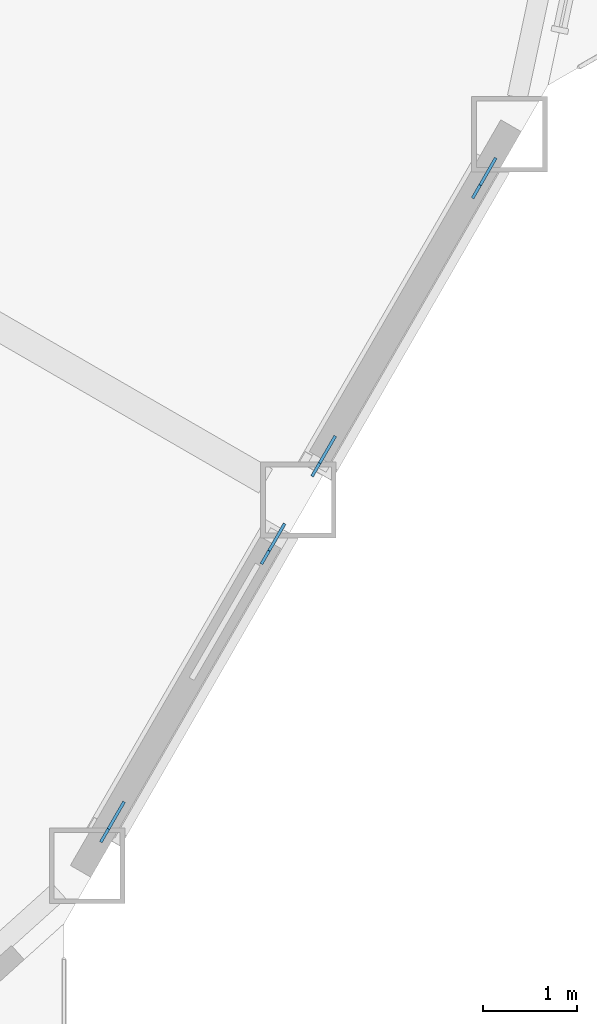
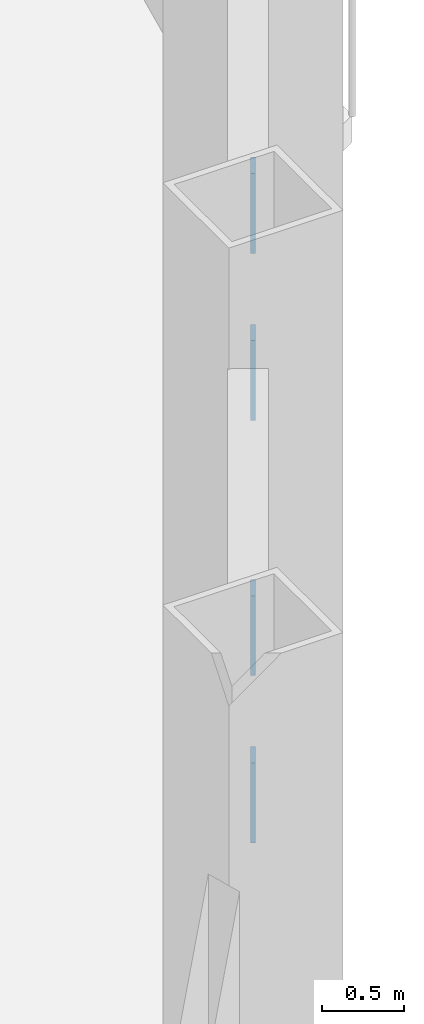
# One storey, part 17 of 23: 4 discrete accessories.
"""IFC4 building model written with IfcOpenShell, lengths in metres."""

from ifc_helpers import new_model, si_unit, direction, frame, origin, origin_2d, place, context, subcontext, project, spatial, rectangle, extrude, material, material_profile, profile_set, type_object, element, save


model = new_model("IFC4")

# Units and contexts
model_context = context("Model", 3, precision=1e-05, world=origin(), true_north=direction((0.0, 1.0)))
body_context = subcontext(model_context, "Body", "Model", "MODEL_VIEW")
ifc_project = project(units=[si_unit("LENGTHUNIT", "METRE"), si_unit("AREAUNIT", "SQUARE_METRE"), si_unit("VOLUMEUNIT", "CUBIC_METRE"), si_unit("PLANEANGLEUNIT", "RADIAN"), si_unit("MASSUNIT", "GRAM", prefix="KILO")], contexts=[model_context])

# Site, building, storey
site_placement = place(None, origin())
site = spatial("IfcSite", under=ifc_project, at=site_placement, CompositionType="ELEMENT")
building_placement = place(site_placement, origin())
building = spatial("IfcBuilding", under=site, at=building_placement, Name="Cormorant Prow Tower", CompositionType="ELEMENT")
storey_placement = place(building_placement, frame((0.0, 0.0, 172.800048828125)))
storey = spatial("IfcBuildingStorey", under=building, at=storey_placement, Name="L36", CompositionType="ELEMENT", Elevation=172.800048828125)

# Discrete accessories
ifc_material = material(Name="Structural steel ASTM A500 Gr C", Category="steel")
ifc_material_profile = material_profile(ifc_material, rectangle(XDim=0.031982421875, YDim=0.506103515625, at=origin_2d()), Name="Gusset plate 32x506")
ifc_profile_set = profile_set([ifc_material_profile], Name="Structural steel ASTM A500 Gr C")
discrete_accessory_type = type_object("IfcDiscreteAccessoryType", Name="Gusset plate 32x506", PredefinedType="BRACKET", material=ifc_profile_set)
for number, where, z_axis, x_axis, name in (
    (1, (27.7080078125, -16.807373046875, 0.83544921875), (0.4742777402, 0.820918970906, -0.31804507284), (-0.86587923604, 0.500253084543, 0.0), "Gusset plate GP2 L36.ESE00.g0"),
    (2, (26.17431640625, -19.463623046875, 1.865234375), (-0.473631655621, -0.821008039272, 0.31877712315), (0.866197837791, -0.499701216534, 0.0), "Gusset plate GP2 L36.ESE00.g1"),
):
    element("IfcDiscreteAccessory", number, at=place(storey_placement, frame(where, z_axis=z_axis, x_axis=x_axis)), inside=storey, type_object=discrete_accessory_type, Name=name, PredefinedType="BRACKET", context=body_context, shape_type="SweptSolid", body=[
        extrude(rectangle(XDim=0.031982421875, YDim=0.506103515625, at=origin_2d()), origin(), (0.0, 0.0, 1.0), 0.35009765625),
    ])
discrete_accessory_1_placement = place(storey_placement, frame((29.943359375, -12.935791015625, 0.83544921875), z_axis=(0.47373689254, 0.821190460264, -0.318150254784), x_axis=(-0.866197837791, 0.499701216534, 0.0)))
element("IfcDiscreteAccessory", 3, at=discrete_accessory_1_placement, inside=storey, type_object=discrete_accessory_type, Name="Gusset plate GP2 L36.ESE01.g0", PredefinedType="BRACKET", context=body_context, shape_type="SweptSolid", body=[
    extrude(rectangle(XDim=0.031982421875, YDim=0.506103515625, at=origin_2d()), origin(), (0.0, 0.0, 1.0), 0.349853515625),
])
discrete_accessory_2_placement = place(storey_placement, frame((28.40966796875, -15.59228515625, 1.865234375), z_axis=(-0.474172452765, -0.820736730742, 0.318671780755), x_axis=(0.86587923604, -0.500253084543, 0.0)))
element("IfcDiscreteAccessory", 4, at=discrete_accessory_2_placement, inside=storey, type_object=discrete_accessory_type, Name="Gusset plate GP2 L36.ESE01.g1", PredefinedType="BRACKET", context=body_context, shape_type="SweptSolid", body=[
    extrude(rectangle(XDim=0.031982421875, YDim=0.506103515625, at=origin_2d()), origin(), (0.0, 0.0, 1.0), 0.35009765625),
])

save(model, "model.ifc")
